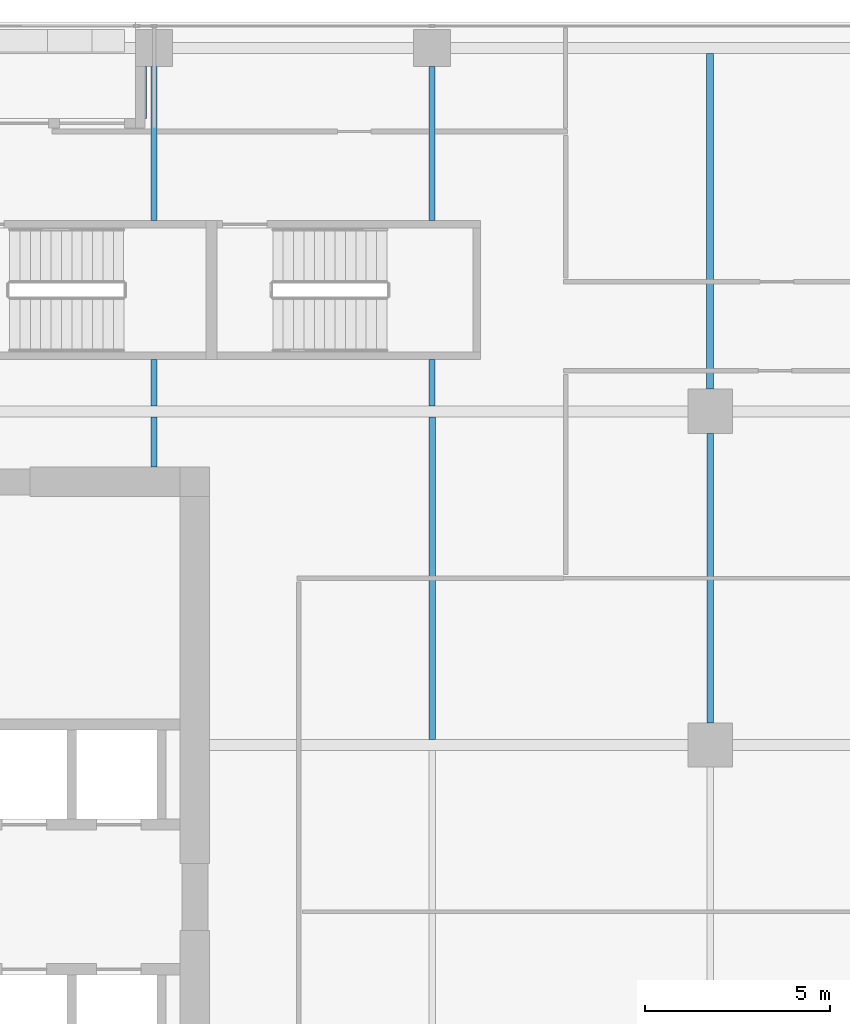
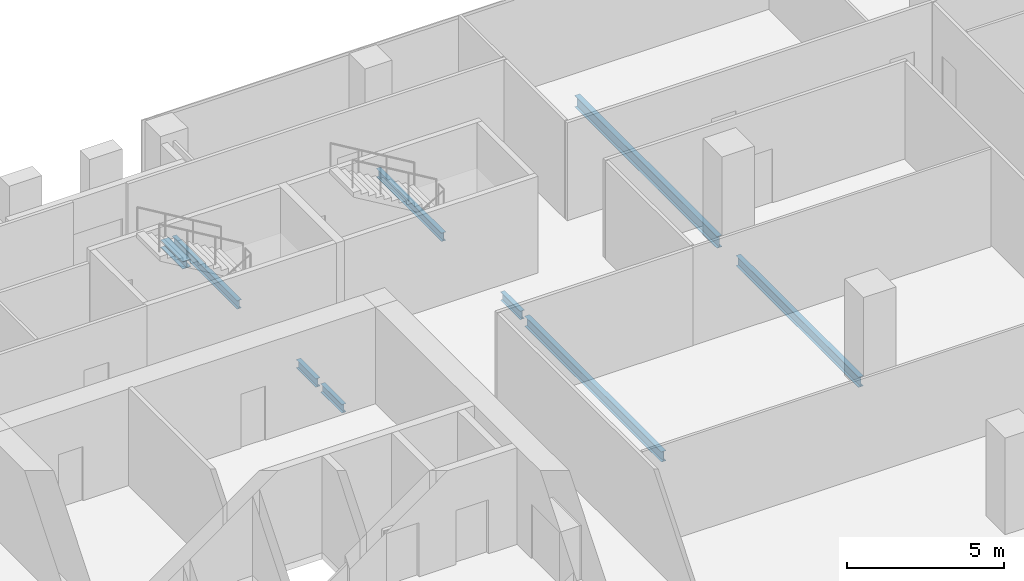
# One storey, part 20 of 40: 9 beams.
"""IFC4 building model written with IfcOpenShell, lengths in metres."""

from ifc_helpers import new_model, si_unit, direction, frame, origin, origin_2d, place, context, subcontext, project, spatial, i_section, extrude, source, transform, mapped, material, material_profile, profile_set, type_object, element, save


model = new_model("IFC4")

# Units and contexts
model_context = context("Model", 3, precision=1e-05, world=origin(), true_north=direction((0.0, 1.0)))
body_context = subcontext(model_context, "Body", "Model", "MODEL_VIEW")
ifc_project = project(units=[si_unit("LENGTHUNIT", "METRE"), si_unit("AREAUNIT", "SQUARE_METRE"), si_unit("VOLUMEUNIT", "CUBIC_METRE"), si_unit("PLANEANGLEUNIT", "RADIAN"), si_unit("MASSUNIT", "GRAM", prefix="KILO")], contexts=[model_context])

# Site, building, storey
site_placement = place(None, origin())
site = spatial("IfcSite", under=ifc_project, at=site_placement, CompositionType="ELEMENT")
building_placement = place(site_placement, origin())
building = spatial("IfcBuilding", under=site, at=building_placement, Name="Khomas Fold Tower", CompositionType="ELEMENT")
storey_placement = place(building_placement, frame((0.0, 0.0, 192.699951171875)))
storey = spatial("IfcBuildingStorey", under=building, at=storey_placement, Name="L42", CompositionType="ELEMENT", Elevation=192.699951171875)

# Beams
ifc_material_1 = material(Name="Steel S355", Category="steel")
ifc_material_profile_1 = material_profile(ifc_material_1, i_section(OverallWidth=0.179931640625, OverallDepth=0.39990234375, WebThickness=0.008544921875, FlangeThickness=0.013427734375, at=origin_2d()), Name="IPE 400")
ifc_profile_set_1 = profile_set([ifc_material_profile_1], Name="Steel S355")
beam_type_1 = type_object("IfcBeamType", Name="IPE 400 beam JB3", PredefinedType="BEAM", material=ifc_profile_set_1)
shared_shape_1 = source(origin(), body_context, "Body", "SweptSolid", [
    extrude(i_section(OverallWidth=0.179931640625, OverallDepth=0.39990234375, WebThickness=0.008544921875, FlangeThickness=0.013427734375, at=origin_2d()), origin(), (0.0, 0.0, 1.0), 8.7001953125),
])
beam_1_placement = place(storey_placement, frame((27.0, 31.64990234375, -0.449951171875), z_axis=(0.0, 1.0, 0.0), x_axis=(-1.0, 0.0, 0.0)))
element("IfcBeam", 1, at=beam_1_placement, inside=storey, type_object=beam_type_1, Name="JB3", PredefinedType="BEAM", context=body_context, shape_type="MappedRepresentation", body=[
    mapped(shared_shape_1, transform((0.0, 0.0, 0.0))),
])
ifc_material_2 = material(Name="Steel S355", Category="steel")
ifc_material_profile_2 = material_profile(ifc_material_2, i_section(OverallWidth=0.159912109375, OverallDepth=0.330078125, WebThickness=0.007568359375, FlangeThickness=0.011474609375, at=origin_2d()), Name="IPE 330")
ifc_profile_set_2 = profile_set([ifc_material_profile_2], Name="Steel S355")
beam_type_2 = type_object("IfcBeamType", Name="IPE 330 beam JB1", PredefinedType="BEAM", material=ifc_profile_set_2)
shared_shape_2 = source(origin(), body_context, "Body", "SweptSolid", [
    extrude(i_section(OverallWidth=0.159912109375, OverallDepth=0.330078125, WebThickness=0.007568359375, FlangeThickness=0.011474609375, at=origin_2d()), origin(), (0.0, 0.0, 1.0), 1.25),
])
for number, where, z_axis, x_axis, name in (
    (2, (19.5, 40.64990234375, -0.4150390625), (0.0, 1.0, 0.0), (-1.0, 0.0, 0.0), "JB1"),
    (3, (27.0, 40.64990234375, -0.4150390625), (0.0, 1.0, 0.0), (-1.0, 0.0, 0.0), "JB1"),
):
    element("IfcBeam", number, at=place(storey_placement, frame(where, z_axis=z_axis, x_axis=x_axis)), inside=storey, type_object=beam_type_2, Name=name, PredefinedType="BEAM", context=body_context, shape_type="MappedRepresentation", body=[
        mapped(shared_shape_2, transform((0.0, 0.0, 0.0))),
    ])
shared_shape_3 = source(origin(), body_context, "Body", "SweptSolid", [
    extrude(i_section(OverallWidth=0.159912109375, OverallDepth=0.330078125, WebThickness=0.007568359375, FlangeThickness=0.011474609375, at=origin_2d()), origin(), (0.0, 0.0, 1.0), 4.150146484375),
])
for number, where, z_axis, x_axis, name in (
    (4, (19.5, 45.64990234375, -0.4150390625), (0.0, 1.0, 0.0), (-1.0, 0.0, 0.0), "JB1"),
    (5, (27.0, 45.64990234375, -0.4150390625), (0.0, 1.0, 0.0), (-1.0, 0.0, 0.0), "JB1"),
):
    element("IfcBeam", number, at=place(storey_placement, frame(where, z_axis=z_axis, x_axis=x_axis)), inside=storey, type_object=beam_type_2, Name=name, PredefinedType="BEAM", context=body_context, shape_type="MappedRepresentation", body=[
        mapped(shared_shape_3, transform((0.0, 0.0, 0.0))),
    ])
shared_shape_4 = source(origin(), body_context, "Body", "SweptSolid", [
    extrude(i_section(OverallWidth=0.179931640625, OverallDepth=0.39990234375, WebThickness=0.008544921875, FlangeThickness=0.013427734375, at=origin_2d()), origin(), (0.0, 0.0, 1.0), 7.7998046875),
])
beam_2_placement = place(storey_placement, frame((34.5, 32.10009765625, -0.449951171875), z_axis=(0.0, 1.0, 0.0), x_axis=(-1.0, 0.0, 0.0)))
element("IfcBeam", 6, at=beam_2_placement, inside=storey, type_object=beam_type_1, Name="JB3", PredefinedType="BEAM", context=body_context, shape_type="MappedRepresentation", body=[
    mapped(shared_shape_4, transform((0.0, 0.0, 0.0))),
])
ifc_material_3 = material(Name="Steel S355", Category="steel")
ifc_material_profile_3 = material_profile(ifc_material_3, i_section(OverallWidth=0.300048828125, OverallDepth=0.300048828125, WebThickness=0.010986328125, FlangeThickness=0.01904296875, at=origin_2d()), Name="HE 300 B")
ifc_profile_set_3 = profile_set([ifc_material_profile_3], Name="Steel S355")
beam_type_3 = type_object("IfcBeamType", Name="HE 300 B beam BB1", PredefinedType="BEAM", material=ifc_profile_set_3)
shared_shape_5 = source(origin(), body_context, "Body", "SweptSolid", [
    extrude(i_section(OverallWidth=0.300048828125, OverallDepth=0.300048828125, WebThickness=0.010986328125, FlangeThickness=0.01904296875, at=origin_2d()), origin(), (0.0, 0.0, 1.0), 1.400146484375),
])
beam_3_placement = place(storey_placement, frame((19.14990234375, 48.39990234375, -0.39990234375), z_axis=(0.0, 1.0, 0.0), x_axis=(-1.0, 0.0, 0.0)))
element("IfcBeam", 7, at=beam_3_placement, inside=storey, type_object=beam_type_3, Name="BB1", PredefinedType="BEAM", context=body_context, shape_type="MappedRepresentation", body=[
    mapped(shared_shape_5, transform((0.0, 0.0, 0.0))),
])
shared_shape_6 = source(origin(), body_context, "Body", "SweptSolid", [
    extrude(i_section(OverallWidth=0.159912109375, OverallDepth=0.330078125, WebThickness=0.007568359375, FlangeThickness=0.011474609375, at=origin_2d()), origin(), (0.0, 0.0, 1.0), 1.35009765625),
])
beam_4_placement = place(storey_placement, frame((19.5, 39.0, -0.4150390625), z_axis=(0.0, 1.0, 0.0), x_axis=(-1.0, 0.0, 0.0)))
element("IfcBeam", 8, at=beam_4_placement, inside=storey, type_object=beam_type_2, Name="JB1", PredefinedType="BEAM", context=body_context, shape_type="MappedRepresentation", body=[
    mapped(shared_shape_6, transform((0.0, 0.0, 0.0))),
])
ifc_material_4 = material(Name="Steel S355", Category="steel")
ifc_material_profile_4 = material_profile(ifc_material_4, i_section(OverallWidth=0.18994140625, OverallDepth=0.449951171875, WebThickness=0.009521484375, FlangeThickness=0.0146484375, at=origin_2d()), Name="IPE 450")
ifc_profile_set_4 = profile_set([ifc_material_profile_4], Name="Steel S355")
beam_type_4 = type_object("IfcBeamType", Name="IPE 450 beam JB4", PredefinedType="BEAM", material=ifc_profile_set_4)
shared_shape_7 = source(origin(), body_context, "Body", "SweptSolid", [
    extrude(i_section(OverallWidth=0.18994140625, OverallDepth=0.449951171875, WebThickness=0.009521484375, FlangeThickness=0.0146484375, at=origin_2d()), origin(), (0.0, 0.0, 1.0), 9.0498046875),
])
beam_5_placement = place(storey_placement, frame((34.5, 41.10009765625, -0.474853515625), z_axis=(0.0, 1.0, 0.0), x_axis=(-1.0, 0.0, 0.0)))
element("IfcBeam", 9, at=beam_5_placement, inside=storey, type_object=beam_type_4, Name="JB4", PredefinedType="BEAM", context=body_context, shape_type="MappedRepresentation", body=[
    mapped(shared_shape_7, transform((0.0, 0.0, 0.0))),
])

save(model, "model.ifc")
